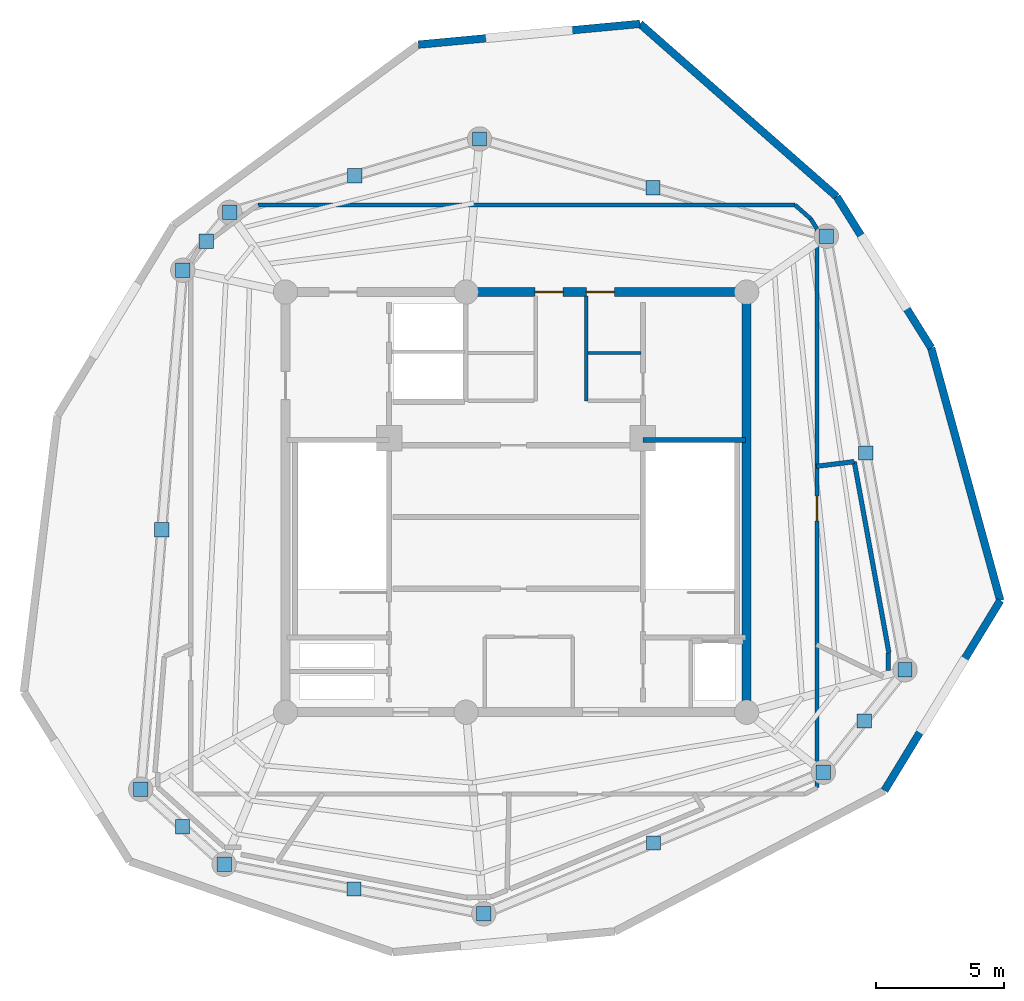
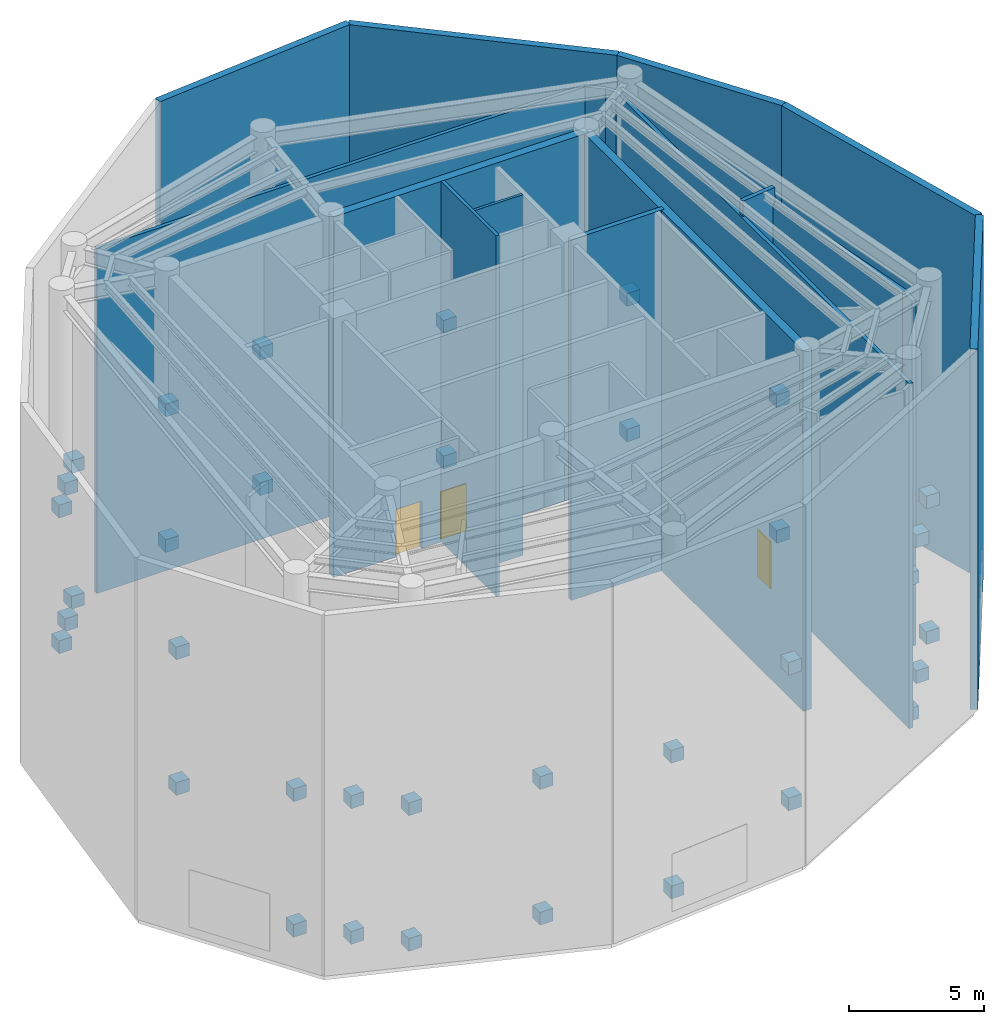
# One storey, part 5 of 6: 36 discrete accessories, 17 walls, 3 doors, 3 openings.
"""IFC4 building model written with IfcOpenShell, lengths in metres."""

from ifc_helpers import new_model, si_unit, direction, frame, frame_2d, origin, origin_with_axes, origin_2d, place, context, subcontext, project, spatial, rectangle, extrude, source, transform, mapped, material, layer, layer_set, type_object, element, fill, save


model = new_model("IFC4")

# Units and contexts
model_context = context("Model", 3, precision=1e-05, world=origin(), true_north=direction((0.0, 1.0)))
body_context = subcontext(model_context, "Body", "Model", "MODEL_VIEW")
ifc_project = project(units=[si_unit("LENGTHUNIT", "METRE"), si_unit("AREAUNIT", "SQUARE_METRE"), si_unit("VOLUMEUNIT", "CUBIC_METRE"), si_unit("PLANEANGLEUNIT", "RADIAN"), si_unit("MASSUNIT", "GRAM", prefix="KILO")], contexts=[model_context])

# Site, building, storey
site_placement = place(None, origin())
site = spatial("IfcSite", under=ifc_project, at=site_placement, CompositionType="ELEMENT")
building_placement = place(site_placement, origin())
building = spatial("IfcBuilding", under=site, at=building_placement, Name="Karkom Vertical University and Central Library", CompositionType="ELEMENT")
storey_placement = place(building_placement, frame((0.0, 0.0, 273.39990234375)))
storey = spatial("IfcBuildingStorey", under=building, at=storey_placement, Name="C81", CompositionType="ELEMENT", Elevation=273.39990234375)

# Walls
ifc_material_1 = material(Name="Brick-faced precast concrete C45/55", Category="masonry")
ifc_layer_1 = layer(ifc_material_1, 0.300048828125)
ifc_layer_set_1 = layer_set([ifc_layer_1], Name="Brick-faced precast concrete C45/55")
wall_type_1 = type_object("IfcWallType", Name="ENV-WL-CRN-300", PredefinedType="SOLIDWALL", material=ifc_layer_set_1)
wall_1_placement = place(storey_placement, frame((42.880126953125, 15.24169921875, 0.0), z_axis=(0.0, 0.0, 1.0), x_axis=(0.520364089318, 0.853944503202, 0.0)))
element("IfcWall", 1, at=wall_1_placement, inside=storey, type_object=wall_type_1, Name="Crown Level 81 Brick-Faced Precast Facade Wall 05", PredefinedType="SOLIDWALL", context=body_context, shape_type="SweptSolid", body=[
    extrude(rectangle(XDim=8.688232421875, YDim=0.300048828125, at=frame_2d((4.34423828125, 0.0))), origin(), (0.0, 0.0, 1.0), 16.35009765625),
])
wall_2_placement = place(storey_placement, frame((47.401123046875, 22.660888671875, 0.0), z_axis=(0.0, 0.0, 1.0), x_axis=(-0.263775999265, 0.964583963277, 0.0)))
element("IfcWall", 2, at=wall_2_placement, inside=storey, type_object=wall_type_1, Name="Crown Level 81 Brick-Faced Precast Facade Wall 06", PredefinedType="SOLIDWALL", context=body_context, shape_type="SweptSolid", body=[
    extrude(rectangle(XDim=10.224609375, YDim=0.300048828125, at=frame_2d((5.1123046875, 0.0))), origin(), (0.0, 0.0, 1.0), 16.35009765625),
])
wall_3_placement = place(storey_placement, frame((44.7041015625, 32.5234375, 0.0), z_axis=(0.0, 0.0, 1.0), x_axis=(-0.52991377192, 0.84805152811, 0.0)))
element("IfcWall", 3, at=wall_3_placement, inside=storey, type_object=wall_type_1, Name="Crown Level 81 Brick-Faced Precast Facade Wall 07", PredefinedType="SOLIDWALL", context=body_context, shape_type="SweptSolid", body=[
    extrude(rectangle(XDim=6.957275390625, YDim=0.300048828125, at=frame_2d((3.478515625, 0.0))), origin(), (0.0, 0.0, 1.0), 16.35009765625),
])
wall_4_placement = place(storey_placement, frame((41.017333984375, 38.423583984375, 0.0), z_axis=(0.0, 0.0, 1.0), x_axis=(-0.751329914383, 0.659926783631, 0.0)))
element("IfcWall", 4, at=wall_4_placement, inside=storey, type_object=wall_type_1, Name="Crown Level 81 Brick-Faced Precast Facade Wall 08", PredefinedType="SOLIDWALL", context=body_context, shape_type="SweptSolid", body=[
    extrude(rectangle(XDim=10.224609375, YDim=0.300048828125, at=frame_2d((5.1123046875, 0.0))), origin(), (0.0, 0.0, 1.0), 16.35009765625),
])
wall_5_placement = place(storey_placement, frame((33.335205078125, 45.171142578125, 0.0), z_axis=(0.0, 0.0, 1.0), x_axis=(-0.995633573183, -0.093347672446, 0.0)))
element("IfcWall", 5, at=wall_5_placement, inside=storey, type_object=wall_type_1, Name="Crown Level 81 Brick-Faced Precast Facade Wall 09", PredefinedType="SOLIDWALL", context=body_context, shape_type="SweptSolid", body=[
    extrude(rectangle(XDim=8.688232421875, YDim=0.300048828125, at=frame_2d((4.34423828125, 0.0))), origin(), (0.0, 0.0, 1.0), 16.35009765625),
])

# Wall, opening, door
ifc_material_2 = material(Name="Insulated metal-stud drywall 160mm", Category="gypsum")
ifc_layer_2 = layer(ifc_material_2, 0.159912109375)
ifc_layer_set_2 = layer_set([ifc_layer_2], Name="Insulated metal-stud drywall 160mm")
wall_type_2 = type_object("IfcWallType", Name="INT-WL-COR-160F", PredefinedType="PARTITIONING", material=ifc_layer_set_2)
wall_6_placement = place(storey_placement, frame((40.25, 37.160400390625, 0.0), z_axis=(0.0, 0.0, 1.0), x_axis=(0.0, -1.0, 0.0)))
wall_6 = element("IfcWall", 6, at=wall_6_placement, inside=storey, type_object=wall_type_2, Name="Crown Level 81 Interior Partition Wall C81-PCORW-CW-008", PredefinedType="PARTITIONING", context=body_context, shape_type="SweptSolid", body=[
    extrude(rectangle(XDim=21.80419921875, YDim=0.159912109375, at=frame_2d((10.902099609375, 0.0))), origin(), (0.0, 0.0, 1.0), 15.650146484375),
])
opening_1_placement = place(wall_6_placement, frame((10.42724609375, 0.0, 0.0)))
opening_1 = element("IfcOpeningElement", 7, at=opening_1_placement, cuts=wall_6, Name="Opening FD-RM1", PredefinedType="OPENING", context=body_context, shape_type="SweptSolid", body=[
    extrude(rectangle(XDim=0.9599609375, YDim=2.14990234375, at=frame_2d((0.47998046875, 1.074951171875))), frame((0.0, 0.08984375, 0.0), z_axis=(0.0, -1.0, 0.0), x_axis=(1.0, 0.0, 0.0)), (0.0, 0.0, 1.0), 0.179931640625),
])
ifc_material_3 = material(Name="Fire-rated oak veneer door", Category="wood")
door_type_1 = type_object("IfcDoorType", Name="INT-DR-FRM1", OperationType="NOTDEFINED", PredefinedType="DOOR", material=ifc_material_3)
shared_shape_1 = source(origin_with_axes(), body_context, "Body", "SweptSolid", [
    extrude(rectangle(XDim=0.9599609375, YDim=2.14990234375, at=frame_2d((0.47998046875, 1.074951171875))), frame((0.0, 0.02490234375, 0.0), z_axis=(0.0, -1.0, 0.0), x_axis=(1.0, 0.0, 0.0)), (0.0, 0.0, 1.0), 0.050048828125),
])
door_1_placement = place(opening_1_placement, origin())
door_1 = element("IfcDoor", 8, at=door_1_placement, inside=storey, type_object=door_type_1, Name="Crown Level 81 Room Entry Door 703", OperationType="SINGLE_SWING_LEFT", OverallHeight=2.14990234375, OverallWidth=0.9599609375, PredefinedType="DOOR", context=body_context, shape_type="MappedRepresentation", body=[
    mapped(shared_shape_1, transform((0.0, 0.0, 0.0), scale=1.0)),
])
fill(opening_1, door_1)

# Walls
wall_7_placement = place(storey_placement, frame((18.418212890625, 38.10009765625, 0.0), z_axis=(0.0, 0.0, 1.0), x_axis=(1.0, 0.0, 0.0)))
element("IfcWall", 9, at=wall_7_placement, inside=storey, type_object=wall_type_2, Name="Crown Level 81 Interior Partition Wall C81-PCORW-CW-005", PredefinedType="PARTITIONING", context=body_context, shape_type="SweptSolid", body=[
    extrude(rectangle(XDim=20.96728515625, YDim=0.159912109375, at=frame_2d((10.483642578125, 0.0))), origin(), (0.0, 0.0, 1.0), 15.650146484375),
])
wall_8_placement = place(storey_placement, frame((39.385498046875, 38.10009765625, 0.0), z_axis=(0.0, 0.0, 1.0), x_axis=(0.751263478849, -0.660002413138, 0.0)))
element("IfcWall", 10, at=wall_8_placement, inside=storey, type_object=wall_type_2, Name="Crown Level 81 Interior Partition Wall C81-PCORW-CW-006", PredefinedType="PARTITIONING", context=body_context, shape_type="SweptSolid", body=[
    extrude(rectangle(XDim=0.818603515625, YDim=0.159912109375, at=frame_2d((0.4091796875, 0.0))), origin(), (0.0, 0.0, 1.0), 15.650146484375),
])
wall_9_placement = place(storey_placement, frame((40.00048828125, 37.559814453125, 0.0), z_axis=(0.0, 0.0, 1.0), x_axis=(0.529812533468, -0.848114779602, 0.0)))
element("IfcWall", 11, at=wall_9_placement, inside=storey, type_object=wall_type_2, Name="Crown Level 81 Interior Partition Wall C81-PCORW-CW-007", PredefinedType="PARTITIONING", context=body_context, shape_type="SweptSolid", body=[
    extrude(rectangle(XDim=0.470947265625, YDim=0.159912109375, at=frame_2d((0.2353515625, 0.0))), origin(), (0.0, 0.0, 1.0), 15.650146484375),
])
ifc_material_4 = material(Name="Moisture-resistant drywall 120mm", Category="gypsum")
ifc_layer_3 = layer(ifc_material_4, 0.1201171875)
ifc_layer_set_3 = layer_set([ifc_layer_3], Name="Moisture-resistant drywall 120mm")
wall_type_3 = type_object("IfcWallType", Name="INT-WL-INT-120H", PredefinedType="PARTITIONING", material=ifc_layer_set_3)
wall_10_placement = place(storey_placement, frame((31.300048828125, 32.320068359375, 0.0), z_axis=(0.0, 0.0, 1.0), x_axis=(1.0, 0.0, 0.0)))
element("IfcWall", 12, at=wall_10_placement, inside=storey, type_object=wall_type_3, Name="Crown Level 81 Interior Partition Wall C81-CW-PH-ME", PredefinedType="PARTITIONING", context=body_context, shape_type="SweptSolid", body=[
    extrude(rectangle(XDim=2.074951171875, YDim=0.1201171875, at=frame_2d((1.03759765625, 0.0))), origin(), (0.0, 0.0, 1.0), 16.35009765625),
])
ifc_material_5 = material(Name="Metal-stud gypsum partition 140mm", Category="gypsum")
ifc_layer_4 = layer(ifc_material_5, 0.139892578125)
ifc_layer_set_4 = layer_set([ifc_layer_4], Name="Metal-stud gypsum partition 140mm")
wall_type_4 = type_object("IfcWallType", Name="INT-WL-SUB-140H", PredefinedType="PARTITIONING", material=ifc_layer_set_4)
wall_11_placement = place(storey_placement, frame((31.239990234375, 30.449951171875, 0.0), z_axis=(0.0, 0.0, 1.0), x_axis=(0.0, 1.0, 0.0)))
element("IfcWall", 13, at=wall_11_placement, inside=storey, type_object=wall_type_4, Name="Crown Level 81 Interior Partition Wall C81-CW-PH-E", PredefinedType="PARTITIONING", context=body_context, shape_type="SweptSolid", body=[
    extrude(rectangle(XDim=4.090087890625, YDim=0.139892578125, at=frame_2d((2.044921875, 0.0))), origin(), (0.0, 0.0, 1.0), 16.35009765625),
])
ifc_material_6 = material(Name="Twin-stud acoustic drywall 180mm", Category="gypsum")
ifc_layer_5 = layer(ifc_material_6, 0.179931640625)
ifc_layer_set_5 = layer_set([ifc_layer_5], Name="Twin-stud acoustic drywall 180mm")
wall_type_5 = type_object("IfcWallType", Name="INT-WL-TEN-180F", PredefinedType="PARTITIONING", material=ifc_layer_set_5)
wall_12_placement = place(storey_placement, frame((41.7001953125, 28.08154296875, 0.0), z_axis=(0.0, 0.0, 1.0), x_axis=(0.178455018212, -0.983948071026, 0.0)))
element("IfcWall", 14, at=wall_12_placement, inside=storey, type_object=wall_type_5, Name="Crown Level 81 Interior Partition Wall C81-PLCHW-017", PredefinedType="PARTITIONING", context=body_context, shape_type="SweptSolid", body=[
    extrude(rectangle(XDim=7.58740234375, YDim=0.179931640625, at=frame_2d((3.793701171875, 0.0))), origin(), (0.0, 0.0, 1.0), 15.650146484375),
])
wall_13_placement = place(storey_placement, frame((40.22021484375, 27.8974609375, 0.0), z_axis=(0.0, 0.0, 1.0), x_axis=(0.992353246761, 0.123430278466, 0.0)))
element("IfcWall", 15, at=wall_13_placement, inside=storey, type_object=wall_type_5, Name="Crown Level 81 Interior Partition Wall C81-PLCHW-016", PredefinedType="PARTITIONING", context=body_context, shape_type="SweptSolid", body=[
    extrude(rectangle(XDim=1.491455078125, YDim=0.179931640625, at=frame_2d((0.74560546875, 0.0))), origin(), (0.0, 0.0, 1.0), 16.35009765625),
])
wall_14_placement = place(storey_placement, frame((43.02197265625, 20.615966796875, 0.0), z_axis=(0.0, 0.0, 1.0), x_axis=(0.0, -1.0, 0.0)))
element("IfcWall", 16, at=wall_14_placement, inside=storey, type_object=wall_type_5, Name="Crown Level 81 Interior Partition Wall C81-PLCHW-018", PredefinedType="PARTITIONING", context=body_context, shape_type="SweptSolid", body=[
    extrude(rectangle(XDim=0.685546875, YDim=0.179931640625, at=frame_2d((0.3427734375, 0.0))), origin(), (0.0, 0.0, 1.0), 15.650146484375),
])
ifc_material_7 = material(Name="Concrete C45/55", Category="concrete")
ifc_layer_6 = layer(ifc_material_7, 0.35009765625)
ifc_layer_set_6 = layer_set([ifc_layer_6], Name="Concrete C45/55")
wall_type_6 = type_object("IfcWallType", Name="STR-WL-CW-350", PredefinedType="SHEAR", material=ifc_layer_set_6)
wall_15_placement = place(storey_placement, frame((37.5, 18.300048828125, 0.0), z_axis=(0.0, 0.0, 1.0), x_axis=(0.0, 1.0, 0.0)))
element("IfcWall", 17, at=wall_15_placement, inside=storey, type_object=wall_type_6, Name="Crown Level 81 Central Core Shear Wall EW", PredefinedType="SHEAR", context=body_context, shape_type="SweptSolid", body=[
    extrude(rectangle(XDim=16.39990234375, YDim=0.35009765625, at=frame_2d((8.199951171875, 0.0))), origin(), (0.0, 0.0, 1.0), 16.35009765625),
])

# Wall, openings, doors
wall_16_placement = place(storey_placement, frame((37.5, 34.699951171875, 0.0), z_axis=(0.0, 0.0, 1.0), x_axis=(-1.0, 0.0, 0.0)))
wall_16 = element("IfcWall", 18, at=wall_16_placement, inside=storey, type_object=wall_type_6, Name="Crown Level 81 Central Core Shear Wall NW1", PredefinedType="SHEAR", context=body_context, shape_type="SweptSolid", body=[
    extrude(rectangle(XDim=10.949951171875, YDim=0.35009765625, at=frame_2d((5.47509765625, 0.0))), origin(), (0.0, 0.0, 1.0), 16.35009765625),
])
opening_2_placement = place(wall_16_placement, frame((7.159912109375, 0.0, 0.0)))
opening_2 = element("IfcOpeningElement", 19, at=opening_2_placement, cuts=wall_16, Name="Opening FD-FFL", PredefinedType="OPENING", context=body_context, shape_type="SweptSolid", body=[
    extrude(rectangle(XDim=1.10009765625, YDim=2.14990234375, at=frame_2d((0.550048828125, 1.074951171875))), frame((0.0, 0.18505859375, 0.0), z_axis=(0.0, -1.0, 0.0), x_axis=(1.0, 0.0, 0.0)), (0.0, 0.0, 1.0), 0.3701171875),
])
opening_3_placement = place(wall_16_placement, frame((5.159912109375, 0.0, 0.0)))
opening_3 = element("IfcOpeningElement", 20, at=opening_3_placement, cuts=wall_16, Name="Opening FD-FFL", PredefinedType="OPENING", context=body_context, shape_type="SweptSolid", body=[
    extrude(rectangle(XDim=1.10009765625, YDim=2.14990234375, at=frame_2d((0.550048828125, 1.074951171875))), frame((0.0, 0.18505859375, 0.0), z_axis=(0.0, -1.0, 0.0), x_axis=(1.0, 0.0, 0.0)), (0.0, 0.0, 1.0), 0.3701171875),
])
ifc_material_8 = material(Name="Painted steel smoke-seal fire door", Category="steel")
door_type_2 = type_object("IfcDoorType", Name="INT-DR-FFL", OperationType="NOTDEFINED", PredefinedType="DOOR", material=ifc_material_8)
shared_shape_2 = source(origin_with_axes(), body_context, "Body", "SweptSolid", [
    extrude(rectangle(XDim=1.10009765625, YDim=2.14990234375, at=frame_2d((0.550048828125, 1.074951171875))), frame((0.0, 0.02490234375, 0.0), z_axis=(0.0, -1.0, 0.0), x_axis=(1.0, 0.0, 0.0)), (0.0, 0.0, 1.0), 0.050048828125),
])
door_2_placement = place(opening_2_placement, origin())
door_2 = element("IfcDoor", 21, at=door_2_placement, inside=storey, type_object=door_type_2, Name="Crown Level 81 Crown Mechanical Plant Door", OperationType="SINGLE_SWING_RIGHT", OverallHeight=2.14990234375, OverallWidth=1.10009765625, PredefinedType="DOOR", context=body_context, shape_type="MappedRepresentation", body=[
    mapped(shared_shape_2, transform((0.0, 0.0, 0.0), scale=1.0)),
])
fill(opening_2, door_2)
door_3_placement = place(opening_3_placement, origin())
door_3 = element("IfcDoor", 22, at=door_3_placement, inside=storey, type_object=door_type_2, Name="Crown Level 81 North Core Lobby Exit Door", OperationType="SINGLE_SWING_LEFT", OverallHeight=2.14990234375, OverallWidth=1.10009765625, PredefinedType="DOOR", context=body_context, shape_type="MappedRepresentation", body=[
    mapped(shared_shape_2, transform((0.0, 0.0, 0.0), scale=1.0)),
])
fill(opening_3, door_3)

# Wall
ifc_layer_7 = layer(ifc_material_7, 0.199951171875)
ifc_layer_set_7 = layer_set([ifc_layer_7], Name="Concrete C45/55")
wall_type_7 = type_object("IfcWallType", Name="STR-WL-ST-200", PredefinedType="SHEAR", material=ifc_layer_set_7)
wall_17_placement = place(storey_placement, frame((33.455078125, 28.925048828125, 0.0), z_axis=(0.0, 0.0, 1.0), x_axis=(1.0, 0.0, 0.0)))
element("IfcWall", 23, at=wall_17_placement, inside=storey, type_object=wall_type_7, Name="Crown Level 81 Core Shaft Wall C81-CW-ST2-N", PredefinedType="SHEAR", context=body_context, shape_type="SweptSolid", body=[
    extrude(rectangle(XDim=3.994873046875, YDim=0.199951171875, at=frame_2d((1.99755859375, 0.0))), origin(), (0.0, 0.0, 1.0), 16.35009765625),
])

# Discrete accessories
ifc_material_9 = material(Name="Ductile cast iron EN-GJS-400-15", Category="metal")
discrete_accessory_type = type_object("IfcDiscreteAccessoryType", Name="STR-ACC-NODECAP", PredefinedType="BRACKET", material=ifc_material_9)
shared_shape_3 = source(origin_with_axes(), body_context, "Body", "SweptSolid", [
    extrude(rectangle(XDim=0.56005859375, YDim=0.56005859375, at=origin_2d()), origin(), (0.0, 0.0, 1.0), 0.580078125),
])
for number, where, z_axis, x_axis, name in (
    (24, (43.681884765625, 19.9560546875, 0.06005859375), (0.0, 0.0, 1.0), (1.0, 0.0, 0.0), "Crown Level 81 Cast Node Connector C81-BELT-BRACE-01 A"),
    (25, (40.613037109375, 36.8798828125, 6.2099609375), (0.0, 0.0, 1.0), (1.0, 0.0, 0.0), "Crown Level 81 Cast Node Connector C81-BELT-BRACE-01 B"),
    (26, (40.613037109375, 36.8798828125, 0.06005859375), (0.0, 0.0, 1.0), (1.0, 0.0, 0.0), "Crown Level 81 Cast Node Connector C81-BELT-CHORD-01 B"),
    (27, (42.1474609375, 28.41796875, 0.06005859375), (0.0, 0.0, 1.0), (1.0, 0.0, 0.0), "Crown Level 81 Cast Node Connector C81-BELT-POST-01 A"),
    (28, (42.1474609375, 28.41796875, 6.2099609375), (0.0, 0.0, 1.0), (1.0, 0.0, 0.0), "Crown Level 81 Cast Node Connector C81-BELT-POST-01 B"),
    (29, (27.072998046875, 40.677001953125, 6.2099609375), (0.0, 0.0, 1.0), (1.0, 0.0, 0.0), "Crown Level 81 Cast Node Connector C81-BELT-BRACE-02 B"),
    (30, (27.072998046875, 40.677001953125, 0.06005859375), (0.0, 0.0, 1.0), (1.0, 0.0, 0.0), "Crown Level 81 Cast Node Connector C81-BELT-CHORD-02 B"),
    (31, (33.843017578125, 38.778564453125, 0.06005859375), (0.0, 0.0, 1.0), (1.0, 0.0, 0.0), "Crown Level 81 Cast Node Connector C81-BELT-POST-02 A"),
    (32, (33.843017578125, 38.778564453125, 6.2099609375), (0.0, 0.0, 1.0), (1.0, 0.0, 0.0), "Crown Level 81 Cast Node Connector C81-BELT-POST-02 B"),
    (33, (17.320068359375, 37.81298828125, 6.2099609375), (0.0, 0.0, 1.0), (1.0, 0.0, 0.0), "Crown Level 81 Cast Node Connector C81-BELT-BRACE-03 B"),
    (34, (17.320068359375, 37.81298828125, 0.06005859375), (0.0, 0.0, 1.0), (1.0, 0.0, 0.0), "Crown Level 81 Cast Node Connector C81-BELT-CHORD-03 B"),
    (35, (22.196533203125, 39.2451171875, 0.06005859375), (0.0, 0.0, 1.0), (1.0, 0.0, 0.0), "Crown Level 81 Cast Node Connector C81-BELT-POST-03 A"),
    (36, (22.196533203125, 39.2451171875, 6.2099609375), (0.0, 0.0, 1.0), (1.0, 0.0, 0.0), "Crown Level 81 Cast Node Connector C81-BELT-POST-03 B"),
    (37, (15.489990234375, 35.552001953125, 6.2099609375), (0.0, 0.0, 1.0), (1.0, 0.0, 0.0), "Crown Level 81 Cast Node Connector C81-BELT-BRACE-04 B"),
    (38, (15.489990234375, 35.552001953125, 0.06005859375), (0.0, 0.0, 1.0), (1.0, 0.0, 0.0), "Crown Level 81 Cast Node Connector C81-BELT-CHORD-04 B"),
    (39, (16.405029296875, 36.6826171875, 0.06005859375), (0.0, 0.0, 1.0), (1.0, 0.0, 0.0), "Crown Level 81 Cast Node Connector C81-BELT-POST-04 A"),
    (40, (16.405029296875, 36.6826171875, 6.2099609375), (0.0, 0.0, 1.0), (1.0, 0.0, 0.0), "Crown Level 81 Cast Node Connector C81-BELT-POST-04 B"),
    (41, (13.84912109375, 15.294921875, 6.2099609375), (0.0, 0.0, 1.0), (1.0, 0.0, 0.0), "Crown Level 81 Cast Node Connector C81-BELT-BRACE-05 B"),
    (42, (13.84912109375, 15.294921875, 0.06005859375), (0.0, 0.0, 1.0), (1.0, 0.0, 0.0), "Crown Level 81 Cast Node Connector C81-BELT-CHORD-05 B"),
    (43, (14.66943359375, 25.423583984375, 0.06005859375), (0.0, 0.0, 1.0), (1.0, 0.0, 0.0), "Crown Level 81 Cast Node Connector C81-BELT-POST-05 A"),
    (44, (14.66943359375, 25.423583984375, 6.2099609375), (0.0, 0.0, 1.0), (1.0, 0.0, 0.0), "Crown Level 81 Cast Node Connector C81-BELT-POST-05 B"),
    (45, (17.10302734375, 12.365966796875, 6.2099609375), (0.0, 0.0, 1.0), (1.0, 0.0, 0.0), "Crown Level 81 Cast Node Connector C81-BELT-BRACE-06 B"),
    (46, (17.10302734375, 12.365966796875, 0.06005859375), (0.0, 0.0, 1.0), (1.0, 0.0, 0.0), "Crown Level 81 Cast Node Connector C81-BELT-CHORD-06 B"),
    (47, (15.47607421875, 13.83056640625, 0.06005859375), (0.0, 0.0, 1.0), (1.0, 0.0, 0.0), "Crown Level 81 Cast Node Connector C81-BELT-POST-06 A"),
    (48, (15.47607421875, 13.83056640625, 6.2099609375), (0.0, 0.0, 1.0), (1.0, 0.0, 0.0), "Crown Level 81 Cast Node Connector C81-BELT-POST-06 B"),
    (49, (27.239013671875, 10.429931640625, 6.2099609375), (0.0, 0.0, 1.0), (1.0, 0.0, 0.0), "Crown Level 81 Cast Node Connector C81-BELT-BRACE-07 B"),
    (50, (27.239013671875, 10.429931640625, 0.06005859375), (0.0, 0.0, 1.0), (1.0, 0.0, 0.0), "Crown Level 81 Cast Node Connector C81-BELT-CHORD-07 B"),
    (51, (22.1708984375, 11.39794921875, 0.06005859375), (0.0, 0.0, 1.0), (1.0, 0.0, 0.0), "Crown Level 81 Cast Node Connector C81-BELT-POST-07 A"),
    (52, (22.1708984375, 11.39794921875, 6.2099609375), (0.0, 0.0, 1.0), (1.0, 0.0, 0.0), "Crown Level 81 Cast Node Connector C81-BELT-POST-07 B"),
    (53, (40.493896484375, 15.9599609375, 6.2099609375), (0.0, 0.0, 1.0), (1.0, 0.0, 0.0), "Crown Level 81 Cast Node Connector C81-BELT-BRACE-08 B"),
    (54, (40.493896484375, 15.9599609375, 0.06005859375), (0.0, 0.0, 1.0), (1.0, 0.0, 0.0), "Crown Level 81 Cast Node Connector C81-BELT-CHORD-08 B"),
    (55, (33.866455078125, 13.195068359375, 0.06005859375), (0.0, 0.0, 1.0), (1.0, 0.0, 0.0), "Crown Level 81 Cast Node Connector C81-BELT-POST-08 A"),
    (56, (33.866455078125, 13.195068359375, 6.2099609375), (0.0, 0.0, 1.0), (1.0, 0.0, 0.0), "Crown Level 81 Cast Node Connector C81-BELT-POST-08 B"),
    (57, (43.681884765625, 19.9560546875, 6.2099609375), (0.0, 0.0, 1.0), (1.0, 0.0, 0.0), "Crown Level 81 Cast Node Connector C81-BELT-BRACE-09 B"),
    (58, (42.087890625, 17.9580078125, 0.06005859375), (0.0, 0.0, 1.0), (1.0, 0.0, 0.0), "Crown Level 81 Cast Node Connector C81-BELT-POST-09 A"),
    (59, (42.087890625, 17.9580078125, 6.2099609375), (0.0, 0.0, 1.0), (1.0, 0.0, 0.0), "Crown Level 81 Cast Node Connector C81-BELT-POST-09 B"),
):
    element("IfcDiscreteAccessory", number, at=place(storey_placement, frame(where, z_axis=z_axis, x_axis=x_axis)), inside=storey, type_object=discrete_accessory_type, Name=name, PredefinedType="BRACKET", context=body_context, shape_type="MappedRepresentation", body=[
        mapped(shared_shape_3, transform((0.0, 0.0, 0.0), scale=1.0)),
    ])

save(model, "model.ifc")
